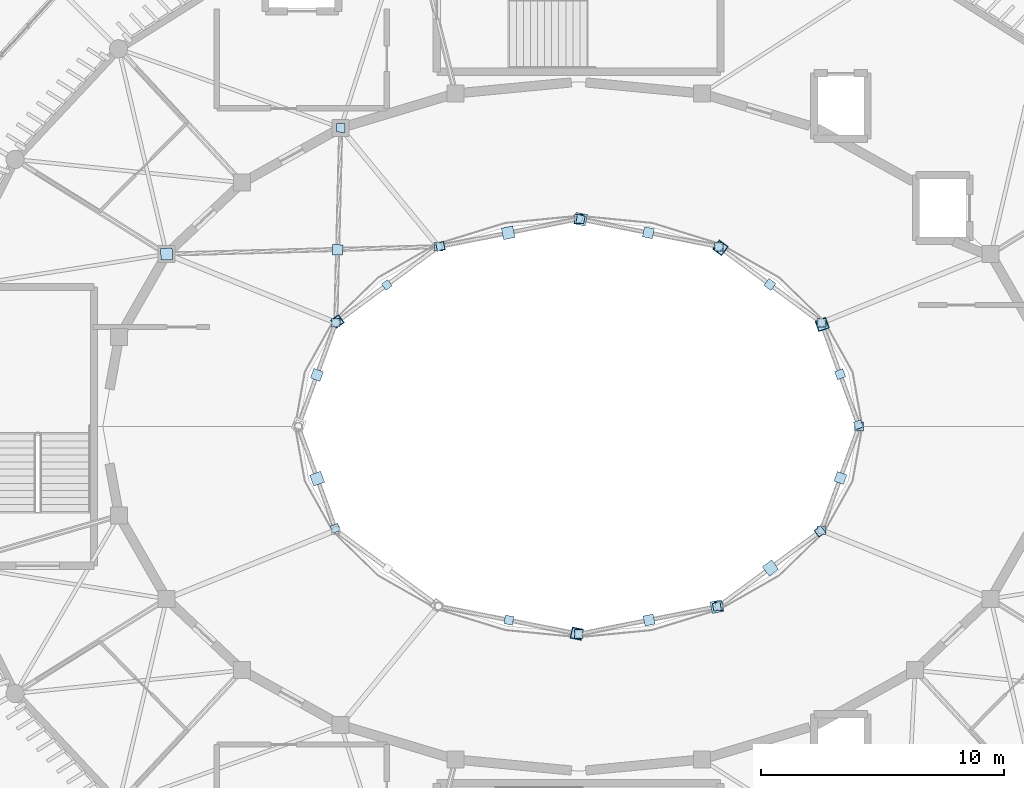
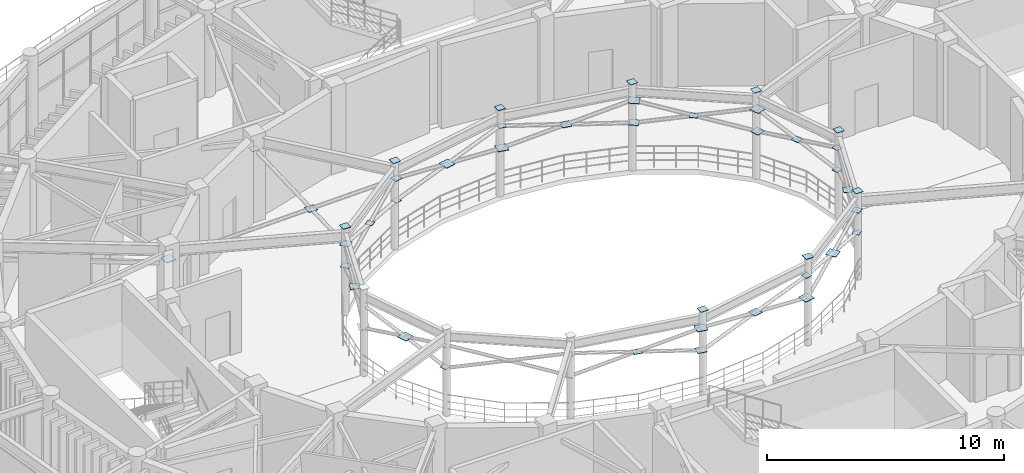
# One storey, part 23 of 45: 42 plates.
"""IFC4 building model written with IfcOpenShell, lengths in metres."""

from ifc_helpers import new_model, si_unit, direction, frame, origin, origin_2d, place, context, subcontext, project, spatial, rectangle, extrude, material, layer, layer_set, type_object, element, save


model = new_model("IFC4")

# Units and contexts
model_context = context("Model", 3, precision=1e-05, world=origin(), true_north=direction((0.0, 1.0)))
body_context = subcontext(model_context, "Body", "Model", "MODEL_VIEW")
ifc_project = project(units=[si_unit("LENGTHUNIT", "METRE"), si_unit("AREAUNIT", "SQUARE_METRE"), si_unit("VOLUMEUNIT", "CUBIC_METRE"), si_unit("PLANEANGLEUNIT", "RADIAN"), si_unit("MASSUNIT", "GRAM", prefix="KILO")], contexts=[model_context])

# Site, building, storey
site_placement = place(None, origin())
site = spatial("IfcSite", under=ifc_project, at=site_placement, CompositionType="ELEMENT")
building_placement = place(site_placement, origin())
building = spatial("IfcBuilding", under=site, at=building_placement, Name="Cinderbank Siding Concert Hall", CompositionType="ELEMENT")
storey_placement = place(building_placement, frame((0.0, 0.0, 19.199951171875)))
storey = spatial("IfcBuildingStorey", under=building, at=storey_placement, Name="L05", CompositionType="ELEMENT", Elevation=19.199951171875)

# Plates
ifc_material = material(Name="Structural steel welded plate section AS/NZS 3679.2 / AS/NZS 3678 Grade 350 (340 MPa)", Category="steel")
ifc_layer_1 = layer(ifc_material, 0.02490234375)
ifc_layer_set_1 = layer_set([ifc_layer_1], Name="Structural steel welded plate section AS/NZS 3679.2 / AS/NZS 3678 Grade 350 (340 MPa)")
plate_type_1 = type_object("IfcPlateType", Name="GP-01 Steel Gusset Cap Plate 480x480x25", PredefinedType="SHEET", material=ifc_layer_set_1)
for number, where, z_axis, x_axis, name in (
    (1, (132.02978515625, 48.19970703125, 3.527587890625), (0.0, 0.0, 1.0), (-0.340379550213, 0.94028812701, 0.0), "L05 Steel Node Gusset Plate GP-01 #1232"),
    (2, (127.83935546875, 51.35693359375, 3.527587890625), (0.0, 0.0, 1.0), (-0.803753032213, 0.59496307718, 0.0), "L05 Steel Node Gusset Plate GP-01 #1236"),
    (3, (122.07861328125, 52.534423828125, 2.3876953125), (0.0, 0.0, 1.0), (0.980887295008, -0.194576757325, 0.0), "L05 Steel Node Gusset Plate GP-01 #1240"),
    (4, (119.09814453125, 51.974365234375, 2.95458984375), (0.0, 0.0, 1.0), (0.980887295008, 0.194576757325, 0.0), "L05 Steel Node Gusset Plate GP-01 #1244"),
    (5, (105.02587890625, 51.10009765625, 3.527587890625), (0.0, 0.0, 1.0), (-0.999629364421, -0.027223772466, 0.0), "L05 Steel Node Gusset Plate GP-01 #1248"),
    (6, (111.228515625, 41.848876953125, 2.953857421875), (0.0, 0.0, 1.0), (-0.340379550213, 0.94028812701, 0.0), "L05 Steel Node Gusset Plate GP-01 #1256"),
    (7, (121.92138671875, 35.465576171875, 3.527587890625), (0.0, 0.0, 1.0), (0.980887295008, -0.194576757325, 0.0), "L05 Steel Node Gusset Plate GP-01 #1260"),
    (8, (127.696533203125, 36.579833984375, 2.3876953125), (0.0, 0.0, 1.0), (-0.980887295008, -0.194576757325, 0.0), "L05 Steel Node Gusset Plate GP-01 #1264"),
    (9, (129.900634765625, 38.1689453125, 2.954345703125), (0.0, 0.0, 1.0), (-0.803753032213, -0.59496307718, 0.0), "L05 Steel Node Gusset Plate GP-01 #1268"),
):
    element("IfcPlate", number, at=place(storey_placement, frame(where, z_axis=z_axis, x_axis=x_axis)), inside=storey, type_object=plate_type_1, Name=name, PredefinedType="SHEET", context=body_context, shape_type="SweptSolid", body=[
        extrude(rectangle(XDim=0.47998046875, YDim=0.47998046875, at=origin_2d()), origin(), (0.0, 0.0, 1.0), 0.02490234375),
    ])
ifc_layer_2 = layer(ifc_material, 0.02197265625)
ifc_layer_set_2 = layer_set([ifc_layer_2], Name="Structural steel welded plate section AS/NZS 3679.2 / AS/NZS 3678 Grade 350 (340 MPa)")
plate_type_2 = type_object("IfcPlateType", Name="GP-02 Steel Gusset Cap Plate 420x420x22", PredefinedType="SHEET", material=ifc_layer_set_2)
for number, where, z_axis, x_axis, name in (
    (10, (132.02978515625, 48.19970703125, 2.38916015625), (0.0, 0.0, 1.0), (0.340379550213, -0.94028812701, 0.0), "L05 Steel Node Gusset Plate GP-02 #1233"),
    (11, (127.83935546875, 51.35693359375, 2.38916015625), (0.0, 0.0, 1.0), (0.803753032213, -0.59496307718, 0.0), "L05 Steel Node Gusset Plate GP-02 #1237"),
    (12, (124.873046875, 51.97998046875, 2.9560546875), (0.0, 0.0, 1.0), (0.980887295008, -0.194576757325, 0.0), "L05 Steel Node Gusset Plate GP-02 #1241"),
    (13, (112.061767578125, 48.322509765625, 3.529052734375), (0.0, 0.0, 1.0), (-0.803753032213, -0.59496307718, 0.0), "L05 Steel Node Gusset Plate GP-02 #1245"),
    (14, (112.0732421875, 51.276611328125, 3.529052734375), (0.0, 0.0, 1.0), (0.025304572866, 0.999679788028, 0.0), "L05 Steel Node Gusset Plate GP-02 #1249"),
    (15, (111.21875, 46.123779296875, 2.955322265625), (0.0, 0.0, 1.0), (0.340379550213, 0.94028812701, 0.0), "L05 Steel Node Gusset Plate GP-02 #1253"),
    (16, (121.92138671875, 35.465576171875, 2.38916015625), (0.0, 0.0, 1.0), (-0.980887295008, 0.194576757325, 0.0), "L05 Steel Node Gusset Plate GP-02 #1261"),
    (17, (124.90185546875, 36.025634765625, 2.9560546875), (0.0, 0.0, 1.0), (-0.980887295008, -0.194576757325, 0.0), "L05 Steel Node Gusset Plate GP-02 #1265"),
    (18, (132.78125, 41.876220703125, 2.955322265625), (0.0, 0.0, 1.0), (-0.340379550213, -0.94028812701, 0.0), "L05 Steel Node Gusset Plate GP-02 #1269"),
):
    element("IfcPlate", number, at=place(storey_placement, frame(where, z_axis=z_axis, x_axis=x_axis)), inside=storey, type_object=plate_type_2, Name=name, PredefinedType="SHEET", context=body_context, shape_type="SweptSolid", body=[
        extrude(rectangle(XDim=0.419921875, YDim=0.419921875, at=origin_2d()), origin(), (0.0, 0.0, 1.0), 0.02197265625),
    ])
ifc_layer_3 = layer(ifc_material, 0.02001953125)
ifc_layer_set_3 = layer_set([ifc_layer_3], Name="Structural steel welded plate section AS/NZS 3679.2 / AS/NZS 3678 Grade 350 (340 MPa)")
plate_type_3 = type_object("IfcPlateType", Name="GP-03 Steel Gusset Cap Plate 360x360x20", PredefinedType="SHEET", material=ifc_layer_set_3)
for number, where, z_axis, x_axis, name in (
    (19, (133.550048828125, 44.0, 4.47998046875), (0.0, 0.0, 1.0), (1.0, 0.0, 0.0), "L05 Column End Cap Plate GP-03 COL-E0-01-L05"),
    (20, (132.0029296875, 48.27490234375, 4.47998046875), (0.0, 0.0, 1.0), (1.0, 0.0, 0.0), "L05 Column End Cap Plate GP-03 COL-E0-03-L05"),
    (21, (127.77490234375, 51.404052734375, 4.47998046875), (0.0, 0.0, 1.0), (1.0, 0.0, 0.0), "L05 Column End Cap Plate GP-03 COL-E0-05-L05"),
    (22, (122.0, 52.550048828125, 4.47998046875), (0.0, 0.0, 1.0), (1.0, 0.0, 0.0), "L05 Column End Cap Plate GP-03 COL-E0-07-L05"),
    (23, (116.22509765625, 51.404052734375, 4.47998046875), (0.0, 0.0, 1.0), (1.0, 0.0, 0.0), "L05 Column End Cap Plate GP-03 COL-E0-09-L05"),
    (24, (111.9970703125, 48.27490234375, 4.47998046875), (0.0, 0.0, 1.0), (1.0, 0.0, 0.0), "L05 Column End Cap Plate GP-03 COL-E0-11-L05"),
    (25, (122.0, 35.449951171875, 4.47998046875), (0.0, 0.0, 1.0), (1.0, 0.0, 0.0), "L05 Column End Cap Plate GP-03 COL-E0-19-L05"),
    (26, (127.77490234375, 36.595947265625, 4.47998046875), (0.0, 0.0, 1.0), (1.0, 0.0, 0.0), "L05 Column End Cap Plate GP-03 COL-E0-21-L05"),
    (27, (132.0029296875, 39.72509765625, 4.47998046875), (0.0, 0.0, 1.0), (1.0, 0.0, 0.0), "L05 Column End Cap Plate GP-03 COL-E0-23-L05"),
    (28, (132.771484375, 46.151123046875, 2.956298828125), (0.0, 0.0, 1.0), (0.340379550213, -0.94028812701, 0.0), "L05 Steel Node Gusset Plate GP-03 #1234"),
    (29, (129.876953125, 49.848388671875, 2.956787109375), (0.0, 0.0, 1.0), (0.803753032213, -0.59496307718, 0.0), "L05 Steel Node Gusset Plate GP-03 #1238"),
    (30, (116.303466796875, 51.420166015625, 3.530029296875), (0.0, 0.0, 1.0), (-0.980887295008, -0.194576757325, 0.0), "L05 Steel Node Gusset Plate GP-03 #1242"),
    (31, (112.061767578125, 48.322509765625, 2.39013671875), (0.0, 0.0, 1.0), (0.803753032213, 0.59496307718, 0.0), "L05 Steel Node Gusset Plate GP-03 #1246"),
    (32, (112.199951171875, 56.297607421875, 3.530029296875), (0.0, 0.0, 1.0), (0.025304572866, 0.999679788028, 0.0), "L05 Steel Node Gusset Plate GP-03 #1250"),
    (33, (119.126953125, 36.02001953125, 2.95703125), (0.0, 0.0, 1.0), (-0.980887295008, 0.194576757325, 0.0), "L05 Steel Node Gusset Plate GP-03 #1262"),
    (34, (131.938232421875, 39.677490234375, 3.530029296875), (0.0, 0.0, 1.0), (0.803753032213, 0.59496307718, 0.0), "L05 Steel Node Gusset Plate GP-03 #1266"),
):
    element("IfcPlate", number, at=place(storey_placement, frame(where, z_axis=z_axis, x_axis=x_axis)), inside=storey, type_object=plate_type_3, Name=name, PredefinedType="SHEET", context=body_context, shape_type="SweptSolid", body=[
        extrude(rectangle(XDim=0.360107421875, YDim=0.360107421875, at=origin_2d()), origin(), (0.0, 0.0, 1.0), 0.02001953125),
    ])
ifc_layer_4 = layer(ifc_material, 0.02099609375)
ifc_layer_set_4 = layer_set([ifc_layer_4], Name="Structural steel welded plate section AS/NZS 3679.2 / AS/NZS 3678 Grade 350 (340 MPa)")
plate_type_4 = type_object("IfcPlateType", Name="GP-04 Steel Gusset Cap Plate 320x320x21", PredefinedType="SHEET", material=ifc_layer_set_4)
for number, where, z_axis, x_axis, name in (
    (35, (133.522705078125, 44.0751953125, 2.3896484375), (0.0, 0.0, 1.0), (-0.340379550213, 0.94028812701, 0.0), "L05 Steel Node Gusset Plate GP-04 #1231"),
    (36, (133.522705078125, 44.0751953125, 3.529541015625), (0.0, 0.0, 1.0), (0.340379550213, -0.94028812701, 0.0), "L05 Steel Node Gusset Plate GP-04 #1235"),
    (37, (122.07861328125, 52.534423828125, 3.529541015625), (0.0, 0.0, 1.0), (-0.980887295008, 0.194576757325, 0.0), "L05 Steel Node Gusset Plate GP-04 #1239"),
    (38, (116.303466796875, 51.420166015625, 2.3896484375), (0.0, 0.0, 1.0), (0.980887295008, 0.194576757325, 0.0), "L05 Steel Node Gusset Plate GP-04 #1243"),
    (39, (114.099365234375, 49.8310546875, 2.956298828125), (0.0, 0.0, 1.0), (0.803753032213, 0.59496307718, 0.0), "L05 Steel Node Gusset Plate GP-04 #1247"),
    (40, (111.97021484375, 39.80029296875, 2.3896484375), (0.0, 0.0, 1.0), (-0.340379550213, 0.94028812701, 0.0), "L05 Steel Node Gusset Plate GP-04 #1255"),
    (41, (127.696533203125, 36.579833984375, 3.529541015625), (0.0, 0.0, 1.0), (0.980887295008, 0.194576757325, 0.0), "L05 Steel Node Gusset Plate GP-04 #1263"),
    (42, (131.938232421875, 39.677490234375, 2.3896484375), (0.0, 0.0, 1.0), (-0.803753032213, -0.59496307718, 0.0), "L05 Steel Node Gusset Plate GP-04 #1267"),
):
    element("IfcPlate", number, at=place(storey_placement, frame(where, z_axis=z_axis, x_axis=x_axis)), inside=storey, type_object=plate_type_4, Name=name, PredefinedType="SHEET", context=body_context, shape_type="SweptSolid", body=[
        extrude(rectangle(XDim=0.320068359375, YDim=0.320068359375, at=origin_2d()), origin(), (0.0, 0.0, 1.0), 0.02099609375),
    ])

save(model, "model.ifc")
